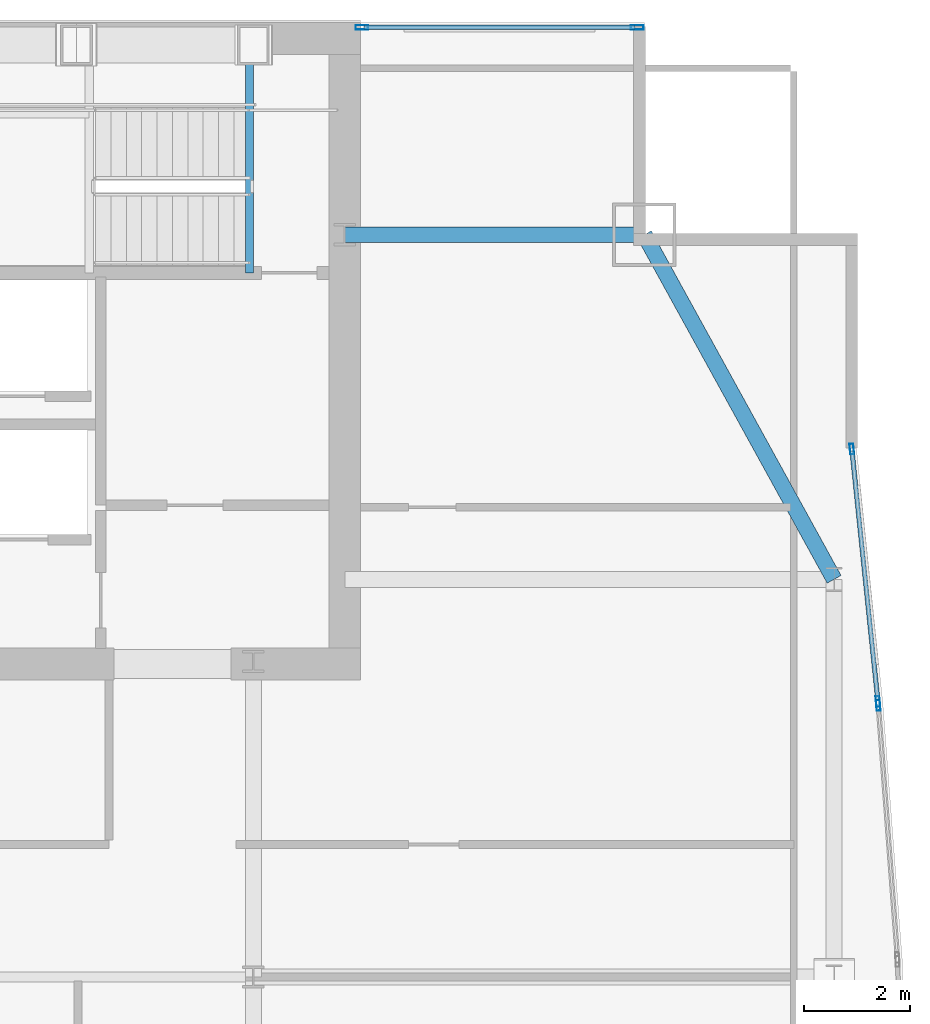
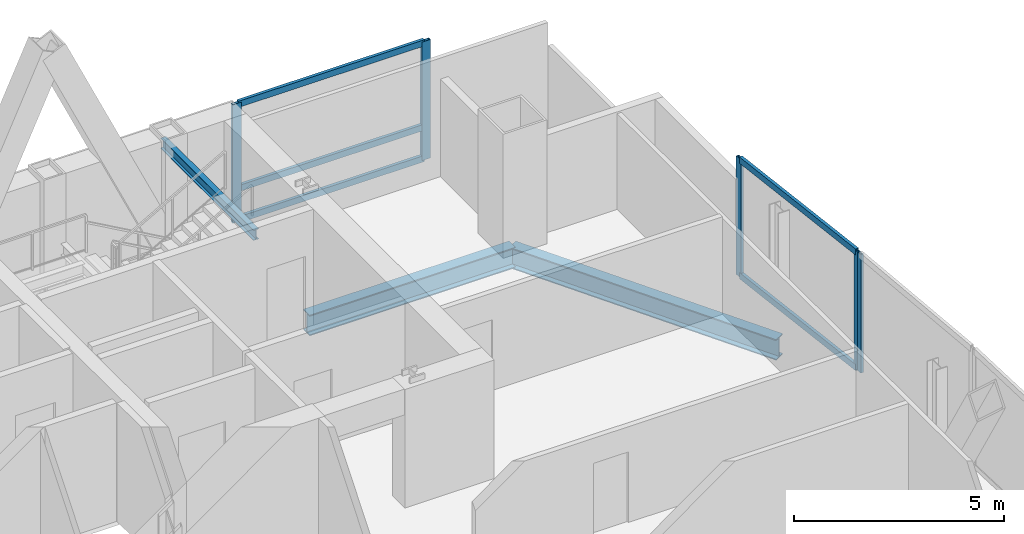
# One storey, part 25 of 32: 10 members, 3 beams, 3 elements without a shape of their own.
"""IFC4 building model written with IfcOpenShell, lengths in metres."""

from ifc_helpers import new_model, si_unit, direction, frame, origin, origin_2d, place, context, subcontext, project, spatial, hollow_rectangle, i_section, extrude, material, material_profile, profile_set, type_object, element, aggregate, save


model = new_model("IFC4")

# Units and contexts
model_context = context("Model", 3, precision=1e-05, world=origin(), true_north=direction((0.0, 1.0)))
body_context = subcontext(model_context, "Body", "Model", "MODEL_VIEW")
ifc_project = project(units=[si_unit("LENGTHUNIT", "METRE"), si_unit("AREAUNIT", "SQUARE_METRE"), si_unit("VOLUMEUNIT", "CUBIC_METRE"), si_unit("PLANEANGLEUNIT", "RADIAN"), si_unit("MASSUNIT", "GRAM", prefix="KILO")], contexts=[model_context])

# Site, building, storey
site_placement = place(None, origin())
site = spatial("IfcSite", under=ifc_project, at=site_placement, CompositionType="ELEMENT")
building_placement = place(site_placement, origin())
building = spatial("IfcBuilding", under=site, at=building_placement, Name="Khoronbel Lancet Exchange", CompositionType="ELEMENT")
storey_placement = place(building_placement, frame((0.0, 0.0, 231.800048828125)))
storey = spatial("IfcBuildingStorey", under=building, at=storey_placement, Name="L59", CompositionType="ELEMENT", Elevation=231.800048828125)

# Beams
ifc_material_1 = material(Name="Steel S355", Category="steel")
ifc_material_profile_1 = material_profile(ifc_material_1, i_section(OverallWidth=0.14990234375, OverallDepth=0.300048828125, WebThickness=0.007080078125, FlangeThickness=0.0107421875, at=origin_2d()), Name="IPE 300")
ifc_profile_set_1 = profile_set([ifc_material_profile_1], Name="Steel S355")
beam_type_1 = type_object("IfcBeamType", Name="BM-BJ8", PredefinedType="JOIST", material=ifc_profile_set_1)
beam_1_placement = place(storey_placement, frame((54.60009765625, 48.97998046875, 3.159912109375), z_axis=(0.0, 1.0, 0.0), x_axis=(-1.0, 0.0, 0.0)))
element("IfcBeam", 1, at=beam_1_placement, inside=storey, type_object=beam_type_1, Name="Level L59 stair ST2 upper-flight arrival trimmer beam", PredefinedType="JOIST", context=body_context, shape_type="SweptSolid", body=[
    extrude(i_section(OverallWidth=0.14990234375, OverallDepth=0.300048828125, WebThickness=0.007080078125, FlangeThickness=0.0107421875, at=origin_2d()), origin(), (0.0, 0.0, 1.0), 4.419921875),
])
ifc_material_profile_2 = material_profile(ifc_material_1, i_section(OverallWidth=0.300048828125, OverallDepth=0.60009765625, WebThickness=0.015380859375, FlangeThickness=0.030029296875, at=origin_2d()), Name="HEB 600")
ifc_profile_set_2 = profile_set([ifc_material_profile_2], Name="Steel S355")
beam_type_2 = type_object("IfcBeamType", Name="BM-BSP2", PredefinedType="SPANDREL", material=ifc_profile_set_2)
beam_2_placement = place(storey_placement, frame((65.6298828125, 43.199951171875, -0.4599609375), z_axis=(-0.482418808117, 0.875940690672, 0.0), x_axis=(-0.875940690672, -0.482418808117, 0.0)))
element("IfcBeam", 2, at=beam_2_placement, inside=storey, type_object=beam_type_2, Name="Level L59 perimeter spandrel beam SP15", PredefinedType="SPANDREL", context=body_context, shape_type="SweptSolid", body=[
    extrude(i_section(OverallWidth=0.300048828125, OverallDepth=0.60009765625, WebThickness=0.015380859375, FlangeThickness=0.030029296875, at=origin_2d()), origin(), (0.0, 0.0, 1.0), 7.420654296875),
])
beam_3_placement = place(storey_placement, frame((62.050048828125, 49.699951171875, -0.4599609375), z_axis=(-1.0, 0.0, 0.0), x_axis=(0.0, -1.0, 0.0)))
element("IfcBeam", 3, at=beam_3_placement, inside=storey, type_object=beam_type_2, Name="Level L59 north flank tie spandrel SP23", PredefinedType="SPANDREL", context=body_context, shape_type="SweptSolid", body=[
    extrude(i_section(OverallWidth=0.300048828125, OverallDepth=0.60009765625, WebThickness=0.015380859375, FlangeThickness=0.030029296875, at=origin_2d()), origin(), (0.0, 0.0, 1.0), 5.650146484375),
])

# Curtain wall, members
ifc_material_2 = material(Name="Low-E Solar Control Insulating Glass", Category="glass")
curtain_wall_type_1 = type_object("IfcCurtainWallType", Name="CW-3", PredefinedType="NOTDEFINED", material=ifc_material_2)
curtain_wall_1_placement = place(storey_placement, origin())
curtain_wall_1 = element("IfcCurtainWall", 4, at=curtain_wall_1_placement, inside=storey, type_object=curtain_wall_type_1, Name="Unitised curtain wall CW-L59-NEFLK", PredefinedType="NOTDEFINED")
ifc_material_3 = material(Name="Bronze-Anodised Aluminium 6063-T6", Category="aluminium")
ifc_material_profile_3 = material_profile(ifc_material_3, hollow_rectangle(XDim=0.0849609375, YDim=0.239990234375, WallThickness=0.006103515625, at=origin_2d()), Name="ALU MULLION 85x240")
ifc_profile_set_3 = profile_set([ifc_material_profile_3], Name="Bronze-Anodised Aluminium 6063-T6")
member_type_1 = type_object("IfcMemberType", Name="MEM-CWM1", PredefinedType="MULLION", material=ifc_profile_set_3)
member_1_placement = place(storey_placement, frame((61.91748046875, 53.610107421875, 0.0), z_axis=(0.0, 0.0, 1.0), x_axis=(0.0, -1.0, 0.0)))
member_1 = element("IfcMember", 5, at=member_1_placement, type_object=member_type_1, Name="CW3 mullion 1", PredefinedType="MULLION", context=body_context, shape_type="SweptSolid", body=[
    extrude(hollow_rectangle(XDim=0.0849609375, YDim=0.239990234375, WallThickness=0.006103515625, at=origin_2d()), origin(), (0.0, 0.0, 1.0), 3.43994140625),
])
member_2_placement = place(storey_placement, frame((56.722412109375, 53.610107421875, 0.0), z_axis=(0.0, 0.0, 1.0), x_axis=(0.0, -1.0, 0.0)))
member_2 = element("IfcMember", 6, at=member_2_placement, type_object=member_type_1, Name="CW3 mullion 2", PredefinedType="MULLION", context=body_context, shape_type="SweptSolid", body=[
    extrude(hollow_rectangle(XDim=0.0849609375, YDim=0.239990234375, WallThickness=0.006103515625, at=origin_2d()), origin(), (0.0, 0.0, 1.0), 3.43994140625),
])

curtain_wall_type_2 = type_object("IfcCurtainWallType", Name="CW-4", PredefinedType="NOTDEFINED", material=ifc_material_2)
curtain_wall_2_placement = place(storey_placement, origin())
curtain_wall_2 = element("IfcCurtainWall", 7, at=curtain_wall_2_placement, inside=storey, type_object=curtain_wall_type_2, Name="Unitised curtain wall CW-L59-E17", PredefinedType="NOTDEFINED")
ifc_material_profile_4 = material_profile(ifc_material_3, hollow_rectangle(XDim=0.074951171875, YDim=0.199951171875, WallThickness=0.0048828125, at=origin_2d()), Name="ALU MULLION 75x200")
ifc_profile_set_4 = profile_set([ifc_material_profile_4], Name="Bronze-Anodised Aluminium 6063-T6")
member_type_2 = type_object("IfcMemberType", Name="MEM-CWM2", PredefinedType="MULLION", material=ifc_profile_set_4)
member_3_placement = place(storey_placement, frame((65.9638671875, 45.658203125, 0.0), z_axis=(0.0, 0.0, 1.0), x_axis=(0.99469070501, 0.102909675768, 0.0)))
member_3 = element("IfcMember", 8, at=member_3_placement, type_object=member_type_2, Name="CW4 mullion 1", PredefinedType="MULLION", context=body_context, shape_type="SweptSolid", body=[
    extrude(hollow_rectangle(XDim=0.074951171875, YDim=0.199951171875, WallThickness=0.0048828125, at=origin_2d()), origin(), (0.0, 0.0, 1.0), 3.43994140625),
])
member_4_placement = place(storey_placement, frame((66.45654296875, 40.89599609375, 0.0), z_axis=(0.0, 0.0, 1.0), x_axis=(0.99469070501, 0.102909675768, 0.0)))
member_4 = element("IfcMember", 9, at=member_4_placement, type_object=member_type_2, Name="CW4 mullion 2", PredefinedType="MULLION", context=body_context, shape_type="SweptSolid", body=[
    extrude(hollow_rectangle(XDim=0.074951171875, YDim=0.199951171875, WallThickness=0.0048828125, at=origin_2d()), origin(), (0.0, 0.0, 1.0), 3.43994140625),
])

# Curtain wall, member
curtain_wall_3_placement = place(storey_placement, origin())
curtain_wall_3 = element("IfcCurtainWall", 10, at=curtain_wall_3_placement, inside=storey, type_object=curtain_wall_type_2, Name="Unitised curtain wall CW-L59-E18", PredefinedType="NOTDEFINED")
member_5_placement = place(storey_placement, frame((66.463134765625, 40.8212890625, 0.0), z_axis=(0.0, 0.0, 1.0), x_axis=(0.997145938632, 0.075498192491, 0.0)))
member_5 = element("IfcMember", 11, at=member_5_placement, type_object=member_type_2, Name="CW4 mullion 1", PredefinedType="MULLION", context=body_context, shape_type="SweptSolid", body=[
    extrude(hollow_rectangle(XDim=0.074951171875, YDim=0.199951171875, WallThickness=0.0048828125, at=origin_2d()), origin(), (0.0, 0.0, 1.0), 3.43994140625),
])
aggregate(curtain_wall_3, [member_5])

# Member
ifc_material_profile_5 = material_profile(ifc_material_3, hollow_rectangle(XDim=0.0849609375, YDim=0.179931640625, WallThickness=0.0048828125, at=origin_2d()), Name="ALU TRANSOM 85x180")
ifc_profile_set_5 = profile_set([ifc_material_profile_5], Name="Bronze-Anodised Aluminium 6063-T6")
member_type_3 = type_object("IfcMemberType", Name="MEM-CWT1", PredefinedType="USERDEFINED", material=ifc_profile_set_5)
member_6_placement = place(storey_placement, frame((61.875, 53.610107421875, 0.04248046875), z_axis=(-1.0, 0.0, 0.0), x_axis=(0.0, -1.0, 0.0)))
member_6 = element("IfcMember", 12, at=member_6_placement, type_object=member_type_3, Name="CW3 transom 1.1", ObjectType="TRANSOM", PredefinedType="USERDEFINED", context=body_context, shape_type="SweptSolid", body=[
    extrude(hollow_rectangle(XDim=0.0849609375, YDim=0.179931640625, WallThickness=0.0048828125, at=origin_2d()), origin(), (0.0, 0.0, 1.0), 5.110107421875),
])

member_7_placement = place(storey_placement, frame((61.875, 53.610107421875, 0.949951171875), z_axis=(-1.0, 0.0, 0.0), x_axis=(0.0, -1.0, 0.0)))
member_7 = element("IfcMember", 13, at=member_7_placement, type_object=member_type_3, Name="CW3 transom 1.2", ObjectType="TRANSOM", PredefinedType="USERDEFINED", context=body_context, shape_type="SweptSolid", body=[
    extrude(hollow_rectangle(XDim=0.0849609375, YDim=0.179931640625, WallThickness=0.0048828125, at=origin_2d()), origin(), (0.0, 0.0, 1.0), 5.110107421875),
])

member_8_placement = place(storey_placement, frame((61.875, 53.610107421875, 3.3974609375), z_axis=(-1.0, 0.0, 0.0), x_axis=(0.0, -1.0, 0.0)))
member_8 = element("IfcMember", 14, at=member_8_placement, type_object=member_type_3, Name="CW3 transom 1.3", ObjectType="TRANSOM", PredefinedType="USERDEFINED", context=body_context, shape_type="SweptSolid", body=[
    extrude(hollow_rectangle(XDim=0.0849609375, YDim=0.179931640625, WallThickness=0.0048828125, at=origin_2d()), origin(), (0.0, 0.0, 1.0), 5.110107421875),
])

aggregate(curtain_wall_1, [member_1, member_2, member_6, member_7, member_8])

member_9_placement = place(storey_placement, frame((65.9677734375, 45.620849609375, 0.04248046875), z_axis=(0.102888545898, -0.994692890858, 0.0), x_axis=(0.994692890858, 0.102888545898, 0.0)))
member_9 = element("IfcMember", 15, at=member_9_placement, type_object=member_type_3, Name="CW4 transom 1.1", ObjectType="TRANSOM", PredefinedType="USERDEFINED", context=body_context, shape_type="SweptSolid", body=[
    extrude(hollow_rectangle(XDim=0.0849609375, YDim=0.179931640625, WallThickness=0.0048828125, at=origin_2d()), origin(), (0.0, 0.0, 1.0), 4.71240234375),
])

member_10_placement = place(storey_placement, frame((65.9677734375, 45.620849609375, 3.3974609375), z_axis=(0.102888545898, -0.994692890858, 0.0), x_axis=(0.994692890858, 0.102888545898, 0.0)))
member_10 = element("IfcMember", 16, at=member_10_placement, type_object=member_type_3, Name="CW4 transom 1.2", ObjectType="TRANSOM", PredefinedType="USERDEFINED", context=body_context, shape_type="SweptSolid", body=[
    extrude(hollow_rectangle(XDim=0.0849609375, YDim=0.179931640625, WallThickness=0.0048828125, at=origin_2d()), origin(), (0.0, 0.0, 1.0), 4.71240234375),
])

aggregate(curtain_wall_2, [member_3, member_4, member_9, member_10])

save(model, "model.ifc")
